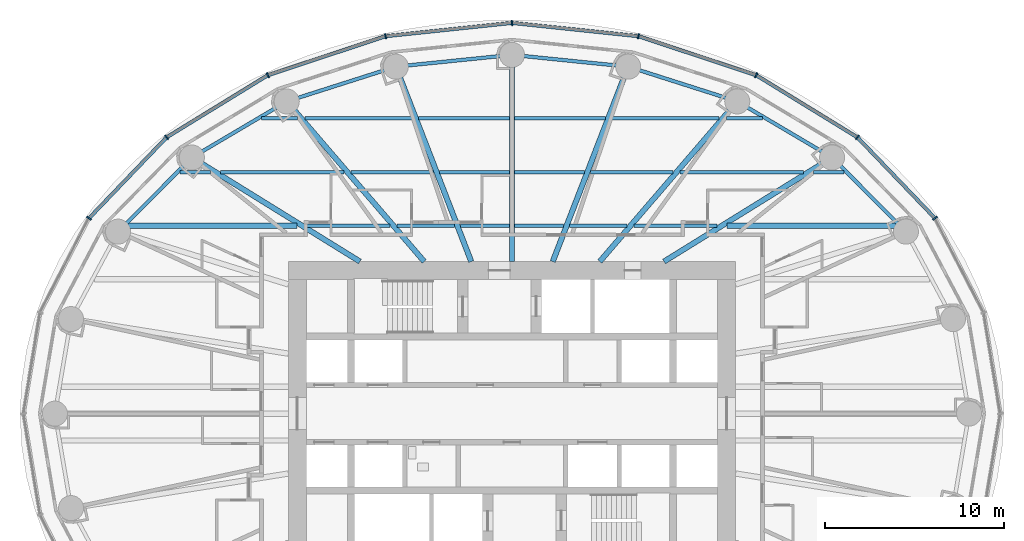
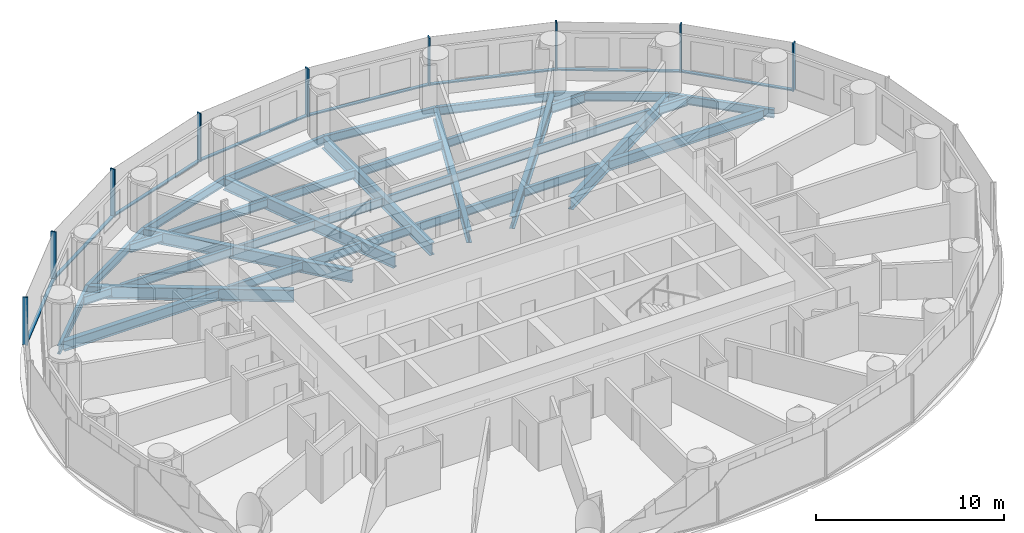
# One storey, part 4 of 16: 37 beams, 17 members, 2 elements without a shape of their own.
"""IFC4 building model written with IfcOpenShell, lengths in metres."""

from ifc_helpers import new_model, si_unit, direction, frame, origin, origin_2d, place, context, subcontext, project, spatial, rectangle, i_section, extrude, material, material_profile, profile_set, type_object, element, aggregate, save


model = new_model("IFC4")

# Units and contexts
model_context = context("Model", 3, precision=1e-05, world=origin(), true_north=direction((0.0, 1.0)))
body_context = subcontext(model_context, "Body", "Model", "MODEL_VIEW")
ifc_project = project(units=[si_unit("LENGTHUNIT", "METRE"), si_unit("AREAUNIT", "SQUARE_METRE"), si_unit("VOLUMEUNIT", "CUBIC_METRE"), si_unit("PLANEANGLEUNIT", "RADIAN"), si_unit("MASSUNIT", "GRAM", prefix="KILO")], contexts=[model_context])

# Site, building, storey
site_placement = place(None, origin())
site = spatial("IfcSite", under=ifc_project, at=site_placement, CompositionType="ELEMENT")
building_placement = place(site_placement, origin())
building = spatial("IfcBuilding", under=site, at=building_placement, Name="Hankou Lantern Tower", CompositionType="ELEMENT")
storey_placement = place(building_placement, frame((0.0, 0.0, 77.10009765625)))
storey = spatial("IfcBuildingStorey", under=building, at=storey_placement, Name="L19", CompositionType="ELEMENT", Elevation=77.10009765625)

# Beams
ifc_material_1 = material(Name="Steel Q355B", Category="steel")
ifc_material_profile_1 = material_profile(ifc_material_1, i_section(OverallWidth=0.199951171875, OverallDepth=0.550048828125, WebThickness=0.010009765625, FlangeThickness=0.01611328125, FilletRadius=0.012939453125, at=origin_2d()), Name="HN550x200x10x16")
ifc_profile_set_1 = profile_set([ifc_material_profile_1], Name="Steel Q355B")
beam_type_1 = type_object("IfcBeamType", Name="EB6 RING BEAM HN550x200x10x16", PredefinedType="SPANDREL", material=ifc_profile_set_1)
beam_1_placement = place(storey_placement, frame((22.01904296875, 10.170166015625, -0.455078125), z_axis=(-0.705727798394, 0.708483079949, 0.0), x_axis=(-0.708483079949, -0.705727798394, 0.0)))
element("IfcBeam", 1, at=beam_1_placement, inside=storey, type_object=beam_type_1, Name="Ring beam R03-R04 L19", PredefinedType="SPANDREL", context=body_context, shape_type="SweptSolid", body=[
    extrude(i_section(OverallWidth=0.199951171875, OverallDepth=0.550048828125, WebThickness=0.010009765625, FlangeThickness=0.01611328125, FilletRadius=0.012939453125, at=origin_2d()), origin(), (0.0, 0.0, 1.0), 5.84814453125),
])
beam_2_placement = place(storey_placement, frame((17.891845703125, 14.3134765625, -0.455078125), z_axis=(-0.860881533543, 0.508805449268, 0.0), x_axis=(-0.508805449268, -0.860881533543, 0.0)))
element("IfcBeam", 2, at=beam_2_placement, inside=storey, type_object=beam_type_1, Name="Ring beam R04-R05 L19", PredefinedType="SPANDREL", context=body_context, shape_type="SweptSolid", body=[
    extrude(i_section(OverallWidth=0.199951171875, OverallDepth=0.550048828125, WebThickness=0.010009765625, FlangeThickness=0.01611328125, FilletRadius=0.012939453125, at=origin_2d()), origin(), (0.0, 0.0, 1.0), 6.15771484375),
])
beam_3_placement = place(storey_placement, frame((12.5908203125, 17.446533203125, -0.455078125), z_axis=(-0.952690479428, 0.303942182671, 0.0), x_axis=(-0.303942182671, -0.952690479428, 0.0)))
element("IfcBeam", 3, at=beam_3_placement, inside=storey, type_object=beam_type_1, Name="Ring beam R05-R06 L19", PredefinedType="SPANDREL", context=body_context, shape_type="SweptSolid", body=[
    extrude(i_section(OverallWidth=0.199951171875, OverallDepth=0.550048828125, WebThickness=0.010009765625, FlangeThickness=0.01611328125, FilletRadius=0.012939453125, at=origin_2d()), origin(), (0.0, 0.0, 1.0), 6.398681640625),
])
for number, where, z_axis, x_axis, name in (
    (4, (6.494873046875, 19.391357421875, -0.455078125), (-0.994896616842, 0.100899562915, 0.0), (-0.100899562915, -0.994896616842, 0.0), "Ring beam R06-R07 L19"),
    (5, (0.0, 20.050048828125, -0.455078125), (-0.994896616842, -0.100899562915, 0.0), (0.100899562915, -0.994896616842, 0.0), "Ring beam R07-R08 L19"),
):
    element("IfcBeam", number, at=place(storey_placement, frame(where, z_axis=z_axis, x_axis=x_axis)), inside=storey, type_object=beam_type_1, Name=name, PredefinedType="SPANDREL", context=body_context, shape_type="SweptSolid", body=[
        extrude(i_section(OverallWidth=0.199951171875, OverallDepth=0.550048828125, WebThickness=0.010009765625, FlangeThickness=0.01611328125, FilletRadius=0.012939453125, at=origin_2d()), origin(), (0.0, 0.0, 1.0), 6.528076171875),
    ])
beam_4_placement = place(storey_placement, frame((-6.494873046875, 19.391357421875, -0.455078125), z_axis=(-0.952690479428, -0.303942182671, 0.0), x_axis=(0.303942182671, -0.952690479428, 0.0)))
element("IfcBeam", 6, at=beam_4_placement, inside=storey, type_object=beam_type_1, Name="Ring beam R08-R09 L19", PredefinedType="SPANDREL", context=body_context, shape_type="SweptSolid", body=[
    extrude(i_section(OverallWidth=0.199951171875, OverallDepth=0.550048828125, WebThickness=0.010009765625, FlangeThickness=0.01611328125, FilletRadius=0.012939453125, at=origin_2d()), origin(), (0.0, 0.0, 1.0), 6.398681640625),
])
beam_5_placement = place(storey_placement, frame((-12.5908203125, 17.446533203125, -0.455078125), z_axis=(-0.860881533543, -0.508805449268, 0.0), x_axis=(0.508805449268, -0.860881533543, 0.0)))
element("IfcBeam", 7, at=beam_5_placement, inside=storey, type_object=beam_type_1, Name="Ring beam R09-R10 L19", PredefinedType="SPANDREL", context=body_context, shape_type="SweptSolid", body=[
    extrude(i_section(OverallWidth=0.199951171875, OverallDepth=0.550048828125, WebThickness=0.010009765625, FlangeThickness=0.01611328125, FilletRadius=0.012939453125, at=origin_2d()), origin(), (0.0, 0.0, 1.0), 6.15771484375),
])
beam_6_placement = place(storey_placement, frame((-17.891845703125, 14.3134765625, -0.455078125), z_axis=(-0.705727798394, -0.708483079949, 0.0), x_axis=(0.708483079949, -0.705727798394, 0.0)))
element("IfcBeam", 8, at=beam_6_placement, inside=storey, type_object=beam_type_1, Name="Ring beam R10-R11 L19", PredefinedType="SPANDREL", context=body_context, shape_type="SweptSolid", body=[
    extrude(i_section(OverallWidth=0.199951171875, OverallDepth=0.550048828125, WebThickness=0.010009765625, FlangeThickness=0.01611328125, FilletRadius=0.012939453125, at=origin_2d()), origin(), (0.0, 0.0, 1.0), 5.84814453125),
])

# Curtain wall, members
ifc_material_2 = material(Name="Glass, dark grey tinted laminated", Category="glass")
curtain_wall_type = type_object("IfcCurtainWallType", Name="CWA OUTER SKIN LOW-RISE", PredefinedType="USERDEFINED", material=ifc_material_2)
curtain_wall_1_placement = place(storey_placement, origin())
curtain_wall_1 = element("IfcCurtainWall", 9, at=curtain_wall_1_placement, inside=storey, type_object=curtain_wall_type, Name="CWA L19 OS1", ObjectType="OUTER SKIN LOW-RISE", PredefinedType="USERDEFINED")
ifc_material_3 = material(Name="Aluminium, black anodised", Category="aluminium")
ifc_material_profile_2 = material_profile(ifc_material_3, rectangle(XDim=0.080078125, YDim=0.300048828125, at=origin_2d()), Name="MU1 80X300")
ifc_profile_set_2 = profile_set([ifc_material_profile_2], Name="Aluminium, black anodised")
member_type_1 = type_object("IfcMemberType", Name="MU1 OUTER SKIN MULLION 80X300", PredefinedType="MULLION", material=ifc_profile_set_2)
member_1_placement = place(storey_placement, frame((23.642578125, 10.919921875, 0.0), z_axis=(0.0, 0.0, 1.0), x_axis=(-0.585205735974, 0.810884854084, 0.0)))
member_1 = element("IfcMember", 10, at=member_1_placement, type_object=member_type_1, Name="CWA mullion 3", PredefinedType="MULLION", context=body_context, shape_type="SweptSolid", body=[
    extrude(rectangle(XDim=0.080078125, YDim=0.300048828125, at=origin_2d()), origin(), (0.0, 0.0, 1.0), 3.119873046875),
])
member_2_placement = place(storey_placement, frame((19.303955078125, 15.443115234375, 0.0), z_axis=(0.0, 0.0, 1.0), x_axis=(-0.780868809444, 0.624695047553, 0.0)))
member_2 = element("IfcMember", 11, at=member_2_placement, type_object=member_type_1, Name="CWA mullion 4", PredefinedType="MULLION", context=body_context, shape_type="SweptSolid", body=[
    extrude(rectangle(XDim=0.080078125, YDim=0.300048828125, at=origin_2d()), origin(), (0.0, 0.0, 1.0), 3.119873046875),
])
member_3_placement = place(storey_placement, frame((13.64990234375, 18.9140625, 0.0), z_axis=(0.0, 0.0, 1.0), x_axis=(-0.907841299004, 0.419313934686, 0.0)))
member_3 = element("IfcMember", 12, at=member_3_placement, type_object=member_type_1, Name="CWA mullion 5", PredefinedType="MULLION", context=body_context, shape_type="SweptSolid", body=[
    extrude(rectangle(XDim=0.080078125, YDim=0.300048828125, at=origin_2d()), origin(), (0.0, 0.0, 1.0), 3.119873046875),
])
member_4_placement = place(storey_placement, frame((7.065673828125, 21.095703125, 0.0), z_axis=(0.0, 0.0, 1.0), x_axis=(-0.977787659625, 0.209597931016, 0.0)))
member_4 = element("IfcMember", 13, at=member_4_placement, type_object=member_type_1, Name="CWA mullion 6", PredefinedType="MULLION", context=body_context, shape_type="SweptSolid", body=[
    extrude(rectangle(XDim=0.080078125, YDim=0.300048828125, at=origin_2d()), origin(), (0.0, 0.0, 1.0), 3.119873046875),
])

curtain_wall_2_placement = place(storey_placement, origin())
curtain_wall_2 = element("IfcCurtainWall", 14, at=curtain_wall_2_placement, inside=storey, type_object=curtain_wall_type, Name="CWA L19 OS2", ObjectType="OUTER SKIN LOW-RISE", PredefinedType="USERDEFINED")
member_5_placement = place(storey_placement, frame((0.0, 21.840087890625, 0.0), z_axis=(0.0, 0.0, 1.0), x_axis=(-0.994499359107, -0.104742659579, 0.0)))
member_5 = element("IfcMember", 15, at=member_5_placement, type_object=member_type_1, Name="CWA mullion 1", PredefinedType="MULLION", context=body_context, shape_type="SweptSolid", body=[
    extrude(rectangle(XDim=0.080078125, YDim=0.300048828125, at=origin_2d()), origin(), (0.0, 0.0, 1.0), 3.119873046875),
])
member_6_placement = place(storey_placement, frame((-7.065673828125, 21.095703125, 0.0), z_axis=(0.0, 0.0, 1.0), x_axis=(-0.977787659625, -0.209597931016, 0.0)))
member_6 = element("IfcMember", 16, at=member_6_placement, type_object=member_type_1, Name="CWA mullion 2", PredefinedType="MULLION", context=body_context, shape_type="SweptSolid", body=[
    extrude(rectangle(XDim=0.080078125, YDim=0.300048828125, at=origin_2d()), origin(), (0.0, 0.0, 1.0), 3.119873046875),
])
member_7_placement = place(storey_placement, frame((-13.64990234375, 18.9140625, 0.0), z_axis=(0.0, 0.0, 1.0), x_axis=(-0.907841299004, -0.419313934686, 0.0)))
member_7 = element("IfcMember", 17, at=member_7_placement, type_object=member_type_1, Name="CWA mullion 3", PredefinedType="MULLION", context=body_context, shape_type="SweptSolid", body=[
    extrude(rectangle(XDim=0.080078125, YDim=0.300048828125, at=origin_2d()), origin(), (0.0, 0.0, 1.0), 3.119873046875),
])
member_8_placement = place(storey_placement, frame((-19.303955078125, 15.443115234375, 0.0), z_axis=(0.0, 0.0, 1.0), x_axis=(-0.780868809444, -0.624695047553, 0.0)))
member_8 = element("IfcMember", 18, at=member_8_placement, type_object=member_type_1, Name="CWA mullion 4", PredefinedType="MULLION", context=body_context, shape_type="SweptSolid", body=[
    extrude(rectangle(XDim=0.080078125, YDim=0.300048828125, at=origin_2d()), origin(), (0.0, 0.0, 1.0), 3.119873046875),
])
member_9_placement = place(storey_placement, frame((-23.642578125, 10.919921875, 0.0), z_axis=(0.0, 0.0, 1.0), x_axis=(-0.585205735974, -0.810884854084, 0.0)))
member_9 = element("IfcMember", 19, at=member_9_placement, type_object=member_type_1, Name="CWA mullion 5", PredefinedType="MULLION", context=body_context, shape_type="SweptSolid", body=[
    extrude(rectangle(XDim=0.080078125, YDim=0.300048828125, at=origin_2d()), origin(), (0.0, 0.0, 1.0), 3.119873046875),
])

# Beams
ifc_material_4 = material(Name="Steel Q355B", Category="steel")
ifc_material_profile_3 = material_profile(ifc_material_4, i_section(OverallWidth=0.300048828125, OverallDepth=0.800048828125, WebThickness=0.013916015625, FlangeThickness=0.02587890625, FilletRadius=0.01806640625, at=origin_2d()), Name="HN800x300x14x26")
ifc_profile_set_3 = profile_set([ifc_material_profile_3], Name="Steel Q355B")
beam_type_2 = type_object("IfcBeamType", Name="RB11 RADIAL BEAM HN800x300x14x26", PredefinedType="BEAM", material=ifc_profile_set_3)
beam_7_placement = place(storey_placement, frame((8.5, 8.5, -0.580078125), z_axis=(0.850286343288, 0.526320372414, 0.0), x_axis=(-0.526320372414, 0.850286343288, 0.0)))
element("IfcBeam", 20, at=beam_7_placement, inside=storey, type_object=beam_type_2, Name="Radial beam R04 L19", PredefinedType="BEAM", context=body_context, shape_type="SweptSolid", body=[
    extrude(i_section(OverallWidth=0.300048828125, OverallDepth=0.800048828125, WebThickness=0.013916015625, FlangeThickness=0.02587890625, FilletRadius=0.01806640625, at=origin_2d()), origin(), (0.0, 0.0, 1.0), 11.04541015625),
])
beam_8_placement = place(storey_placement, frame((4.907470703125, 8.5, -0.580078125), z_axis=(0.651519061225, 0.758632264579, 0.0), x_axis=(-0.758632264579, 0.651519061225, 0.0)))
element("IfcBeam", 21, at=beam_8_placement, inside=storey, type_object=beam_type_2, Name="Radial beam R05 L19", PredefinedType="BEAM", context=body_context, shape_type="SweptSolid", body=[
    extrude(i_section(OverallWidth=0.300048828125, OverallDepth=0.800048828125, WebThickness=0.013916015625, FlangeThickness=0.02587890625, FilletRadius=0.01806640625, at=origin_2d()), origin(), (0.0, 0.0, 1.0), 11.79296875),
])
beam_9_placement = place(storey_placement, frame((2.277587890625, 8.5, -0.580078125), z_axis=(0.361089103374, 0.932531318201, 0.0), x_axis=(-0.932531318201, 0.361089103374, 0.0)))
element("IfcBeam", 22, at=beam_9_placement, inside=storey, type_object=beam_type_2, Name="Radial beam R06 L19", PredefinedType="BEAM", context=body_context, shape_type="SweptSolid", body=[
    extrude(i_section(OverallWidth=0.300048828125, OverallDepth=0.800048828125, WebThickness=0.013916015625, FlangeThickness=0.02587890625, FilletRadius=0.01806640625, at=origin_2d()), origin(), (0.0, 0.0, 1.0), 11.679443359375),
])
beam_10_placement = place(storey_placement, frame((0.0, 8.5, -0.580078125), z_axis=(0.0, 1.0, 0.0), x_axis=(-1.0, 0.0, 0.0)))
element("IfcBeam", 23, at=beam_10_placement, inside=storey, type_object=beam_type_2, Name="Radial beam R07 L19", PredefinedType="BEAM", context=body_context, shape_type="SweptSolid", body=[
    extrude(i_section(OverallWidth=0.300048828125, OverallDepth=0.800048828125, WebThickness=0.013916015625, FlangeThickness=0.02587890625, FilletRadius=0.01806640625, at=origin_2d()), origin(), (0.0, 0.0, 1.0), 11.550048828125),
])
beam_11_placement = place(storey_placement, frame((-2.277587890625, 8.5, -0.580078125), z_axis=(-0.361089103374, 0.932531318201, 0.0), x_axis=(-0.932531318201, -0.361089103374, 0.0)))
element("IfcBeam", 24, at=beam_11_placement, inside=storey, type_object=beam_type_2, Name="Radial beam R08 L19", PredefinedType="BEAM", context=body_context, shape_type="SweptSolid", body=[
    extrude(i_section(OverallWidth=0.300048828125, OverallDepth=0.800048828125, WebThickness=0.013916015625, FlangeThickness=0.02587890625, FilletRadius=0.01806640625, at=origin_2d()), origin(), (0.0, 0.0, 1.0), 11.679443359375),
])
beam_12_placement = place(storey_placement, frame((-4.907470703125, 8.5, -0.580078125), z_axis=(-0.651519061225, 0.758632264579, 0.0), x_axis=(-0.758632264579, -0.651519061225, 0.0)))
element("IfcBeam", 25, at=beam_12_placement, inside=storey, type_object=beam_type_2, Name="Radial beam R09 L19", PredefinedType="BEAM", context=body_context, shape_type="SweptSolid", body=[
    extrude(i_section(OverallWidth=0.300048828125, OverallDepth=0.800048828125, WebThickness=0.013916015625, FlangeThickness=0.02587890625, FilletRadius=0.01806640625, at=origin_2d()), origin(), (0.0, 0.0, 1.0), 11.79296875),
])
beam_13_placement = place(storey_placement, frame((-8.5, 8.5, -0.580078125), z_axis=(-0.850286343288, 0.526320372414, 0.0), x_axis=(-0.526320372414, -0.850286343288, 0.0)))
element("IfcBeam", 26, at=beam_13_placement, inside=storey, type_object=beam_type_2, Name="Radial beam R10 L19", PredefinedType="BEAM", context=body_context, shape_type="SweptSolid", body=[
    extrude(i_section(OverallWidth=0.300048828125, OverallDepth=0.800048828125, WebThickness=0.013916015625, FlangeThickness=0.02587890625, FilletRadius=0.01806640625, at=origin_2d()), origin(), (0.0, 0.0, 1.0), 11.04541015625),
])
ifc_material_5 = material(Name="Steel Q355B", Category="steel")
ifc_material_profile_4 = material_profile(ifc_material_5, i_section(OverallWidth=0.199951171875, OverallDepth=0.550048828125, WebThickness=0.010009765625, FlangeThickness=0.01611328125, FilletRadius=0.012939453125, at=origin_2d()), Name="HN550x200x10x16")
ifc_profile_set_4 = profile_set([ifc_material_profile_4], Name="Steel Q355B")
beam_type_3 = type_object("IfcBeamType", Name="SB6 SECONDARY BEAM HN550x200x10x16", PredefinedType="JOIST", material=ifc_profile_set_4)
beam_14_placement = place(storey_placement, frame((-11.446044921875, 10.5, -0.455078125), z_axis=(1.0, 0.0, 0.0), x_axis=(0.0, 1.0, 0.0)))
element("IfcBeam", 27, at=beam_14_placement, inside=storey, type_object=beam_type_3, Name="Floor joist J040 L19", PredefinedType="JOIST", context=body_context, shape_type="SweptSolid", body=[
    extrude(i_section(OverallWidth=0.199951171875, OverallDepth=0.550048828125, WebThickness=0.010009765625, FlangeThickness=0.01611328125, FilletRadius=0.012939453125, at=origin_2d()), origin(), (0.0, 0.0, 1.0), 4.623291015625),
])
beam_15_placement = place(storey_placement, frame((-6.427490234375, 10.5, -0.455078125), z_axis=(1.0, 0.0, 0.0), x_axis=(0.0, 1.0, 0.0)))
element("IfcBeam", 28, at=beam_15_placement, inside=storey, type_object=beam_type_3, Name="Floor joist J041 L19", PredefinedType="JOIST", context=body_context, shape_type="SweptSolid", body=[
    extrude(i_section(OverallWidth=0.199951171875, OverallDepth=0.550048828125, WebThickness=0.010009765625, FlangeThickness=0.01611328125, FilletRadius=0.012939453125, at=origin_2d()), origin(), (0.0, 0.0, 1.0), 3.214599609375),
])
for number, where, z_axis, x_axis, name in (
    (29, (-2.89111328125, 10.5, -0.455078125), (1.0, 0.0, 0.0), (0.0, 1.0, 0.0), "Floor joist J042 L19"),
    (30, (0.14990234375, 10.5, -0.455078125), (1.0, 0.0, 0.0), (0.0, 1.0, 0.0), "Floor joist J043 L19"),
):
    element("IfcBeam", number, at=place(storey_placement, frame(where, z_axis=z_axis, x_axis=x_axis)), inside=storey, type_object=beam_type_3, Name=name, PredefinedType="JOIST", context=body_context, shape_type="SweptSolid", body=[
        extrude(i_section(OverallWidth=0.199951171875, OverallDepth=0.550048828125, WebThickness=0.010009765625, FlangeThickness=0.01611328125, FilletRadius=0.012939453125, at=origin_2d()), origin(), (0.0, 0.0, 1.0), 2.7412109375),
    ])
beam_16_placement = place(storey_placement, frame((3.212890625, 10.5, -0.455078125), z_axis=(1.0, 0.0, 0.0), x_axis=(0.0, 1.0, 0.0)))
element("IfcBeam", 31, at=beam_16_placement, inside=storey, type_object=beam_type_3, Name="Floor joist J044 L19", PredefinedType="JOIST", context=body_context, shape_type="SweptSolid", body=[
    extrude(i_section(OverallWidth=0.199951171875, OverallDepth=0.550048828125, WebThickness=0.010009765625, FlangeThickness=0.01611328125, FilletRadius=0.012939453125, at=origin_2d()), origin(), (0.0, 0.0, 1.0), 3.214599609375),
])
beam_17_placement = place(storey_placement, frame((6.82275390625, 10.5, -0.455078125), z_axis=(1.0, 0.0, 0.0), x_axis=(0.0, 1.0, 0.0)))
element("IfcBeam", 32, at=beam_17_placement, inside=storey, type_object=beam_type_3, Name="Floor joist J045 L19", PredefinedType="JOIST", context=body_context, shape_type="SweptSolid", body=[
    extrude(i_section(OverallWidth=0.199951171875, OverallDepth=0.550048828125, WebThickness=0.010009765625, FlangeThickness=0.01611328125, FilletRadius=0.012939453125, at=origin_2d()), origin(), (0.0, 0.0, 1.0), 4.623291015625),
])
beam_18_placement = place(storey_placement, frame((-18.560791015625, 13.5, -0.455078125), z_axis=(1.0, 0.0, 0.0), x_axis=(0.0, 1.0, 0.0)))
element("IfcBeam", 33, at=beam_18_placement, inside=storey, type_object=beam_type_3, Name="Floor joist J047 L19", PredefinedType="JOIST", context=body_context, shape_type="SweptSolid", body=[
    extrude(i_section(OverallWidth=0.199951171875, OverallDepth=0.550048828125, WebThickness=0.010009765625, FlangeThickness=0.01611328125, FilletRadius=0.012939453125, at=origin_2d()), origin(), (0.0, 0.0, 1.0), 1.697998046875),
])
beam_19_placement = place(storey_placement, frame((-16.292724609375, 13.5, -0.455078125), z_axis=(1.0, 0.0, 0.0), x_axis=(0.0, 1.0, 0.0)))
element("IfcBeam", 34, at=beam_19_placement, inside=storey, type_object=beam_type_3, Name="Floor joist J048 L19", PredefinedType="JOIST", context=body_context, shape_type="SweptSolid", body=[
    extrude(i_section(OverallWidth=0.199951171875, OverallDepth=0.550048828125, WebThickness=0.010009765625, FlangeThickness=0.01611328125, FilletRadius=0.012939453125, at=origin_2d()), origin(), (0.0, 0.0, 1.0), 6.893310546875),
])
beam_20_placement = place(storey_placement, frame((-9.00390625, 13.5, -0.455078125), z_axis=(1.0, 0.0, 0.0), x_axis=(0.0, 1.0, 0.0)))
element("IfcBeam", 35, at=beam_20_placement, inside=storey, type_object=beam_type_3, Name="Floor joist J049 L19", PredefinedType="JOIST", context=body_context, shape_type="SweptSolid", body=[
    extrude(i_section(OverallWidth=0.199951171875, OverallDepth=0.550048828125, WebThickness=0.010009765625, FlangeThickness=0.01611328125, FilletRadius=0.012939453125, at=origin_2d()), origin(), (0.0, 0.0, 1.0), 4.62939453125),
])
for number, where, z_axis, x_axis, name in (
    (36, (-4.052734375, 13.5, -0.455078125), (1.0, 0.0, 0.0), (0.0, 1.0, 0.0), "Floor joist J050 L19"),
    (37, (0.14990234375, 13.5, -0.455078125), (1.0, 0.0, 0.0), (0.0, 1.0, 0.0), "Floor joist J051 L19"),
):
    element("IfcBeam", number, at=place(storey_placement, frame(where, z_axis=z_axis, x_axis=x_axis)), inside=storey, type_object=beam_type_3, Name=name, PredefinedType="JOIST", context=body_context, shape_type="SweptSolid", body=[
        extrude(i_section(OverallWidth=0.199951171875, OverallDepth=0.550048828125, WebThickness=0.010009765625, FlangeThickness=0.01611328125, FilletRadius=0.012939453125, at=origin_2d()), origin(), (0.0, 0.0, 1.0), 3.90283203125),
    ])
beam_21_placement = place(storey_placement, frame((4.37451171875, 13.5, -0.455078125), z_axis=(1.0, 0.0, 0.0), x_axis=(0.0, 1.0, 0.0)))
element("IfcBeam", 38, at=beam_21_placement, inside=storey, type_object=beam_type_3, Name="Floor joist J052 L19", PredefinedType="JOIST", context=body_context, shape_type="SweptSolid", body=[
    extrude(i_section(OverallWidth=0.199951171875, OverallDepth=0.550048828125, WebThickness=0.010009765625, FlangeThickness=0.01611328125, FilletRadius=0.012939453125, at=origin_2d()), origin(), (0.0, 0.0, 1.0), 4.62939453125),
])
beam_22_placement = place(storey_placement, frame((9.3994140625, 13.5, -0.455078125), z_axis=(1.0, 0.0, 0.0), x_axis=(0.0, 1.0, 0.0)))
element("IfcBeam", 39, at=beam_22_placement, inside=storey, type_object=beam_type_3, Name="Floor joist J053 L19", PredefinedType="JOIST", context=body_context, shape_type="SweptSolid", body=[
    extrude(i_section(OverallWidth=0.199951171875, OverallDepth=0.550048828125, WebThickness=0.010009765625, FlangeThickness=0.01611328125, FilletRadius=0.012939453125, at=origin_2d()), origin(), (0.0, 0.0, 1.0), 6.893310546875),
])
beam_23_placement = place(storey_placement, frame((16.86279296875, 13.5, -0.455078125), z_axis=(1.0, 0.0, 0.0), x_axis=(0.0, 1.0, 0.0)))
element("IfcBeam", 40, at=beam_23_placement, inside=storey, type_object=beam_type_3, Name="Floor joist J054 L19", PredefinedType="JOIST", context=body_context, shape_type="SweptSolid", body=[
    extrude(i_section(OverallWidth=0.199951171875, OverallDepth=0.550048828125, WebThickness=0.010009765625, FlangeThickness=0.01611328125, FilletRadius=0.012939453125, at=origin_2d()), origin(), (0.0, 0.0, 1.0), 1.697998046875),
])
beam_24_placement = place(storey_placement, frame((-13.99560546875, 16.5, -0.455078125), z_axis=(1.0, 0.0, 0.0), x_axis=(0.0, 1.0, 0.0)))
element("IfcBeam", 41, at=beam_24_placement, inside=storey, type_object=beam_type_3, Name="Floor joist J055 L19", PredefinedType="JOIST", context=body_context, shape_type="SweptSolid", body=[
    extrude(i_section(OverallWidth=0.199951171875, OverallDepth=0.550048828125, WebThickness=0.010009765625, FlangeThickness=0.01611328125, FilletRadius=0.012939453125, at=origin_2d()), origin(), (0.0, 0.0, 1.0), 2.019775390625),
])
beam_25_placement = place(storey_placement, frame((-11.580322265625, 16.5, -0.455078125), z_axis=(1.0, 0.0, 0.0), x_axis=(0.0, 1.0, 0.0)))
element("IfcBeam", 42, at=beam_25_placement, inside=storey, type_object=beam_type_3, Name="Floor joist J056 L19", PredefinedType="JOIST", context=body_context, shape_type="SweptSolid", body=[
    extrude(i_section(OverallWidth=0.199951171875, OverallDepth=0.550048828125, WebThickness=0.010009765625, FlangeThickness=0.01611328125, FilletRadius=0.012939453125, at=origin_2d()), origin(), (0.0, 0.0, 1.0), 6.044189453125),
])
for number, where, z_axis, x_axis, name in (
    (43, (-5.21435546875, 16.5, -0.455078125), (1.0, 0.0, 0.0), (0.0, 1.0, 0.0), "Floor joist J057 L19"),
    (44, (0.14990234375, 16.5, -0.455078125), (1.0, 0.0, 0.0), (0.0, 1.0, 0.0), "Floor joist J058 L19"),
):
    element("IfcBeam", number, at=place(storey_placement, frame(where, z_axis=z_axis, x_axis=x_axis)), inside=storey, type_object=beam_type_3, Name=name, PredefinedType="JOIST", context=body_context, shape_type="SweptSolid", body=[
        extrude(i_section(OverallWidth=0.199951171875, OverallDepth=0.550048828125, WebThickness=0.010009765625, FlangeThickness=0.01611328125, FilletRadius=0.012939453125, at=origin_2d()), origin(), (0.0, 0.0, 1.0), 5.064453125),
    ])
beam_26_placement = place(storey_placement, frame((5.5361328125, 16.5, -0.455078125), z_axis=(1.0, 0.0, 0.0), x_axis=(0.0, 1.0, 0.0)))
element("IfcBeam", 45, at=beam_26_placement, inside=storey, type_object=beam_type_3, Name="Floor joist J059 L19", PredefinedType="JOIST", context=body_context, shape_type="SweptSolid", body=[
    extrude(i_section(OverallWidth=0.199951171875, OverallDepth=0.550048828125, WebThickness=0.010009765625, FlangeThickness=0.01611328125, FilletRadius=0.012939453125, at=origin_2d()), origin(), (0.0, 0.0, 1.0), 6.044189453125),
])
beam_27_placement = place(storey_placement, frame((11.975830078125, 16.5, -0.455078125), z_axis=(1.0, 0.0, 0.0), x_axis=(0.0, 1.0, 0.0)))
element("IfcBeam", 46, at=beam_27_placement, inside=storey, type_object=beam_type_3, Name="Floor joist J060 L19", PredefinedType="JOIST", context=body_context, shape_type="SweptSolid", body=[
    extrude(i_section(OverallWidth=0.199951171875, OverallDepth=0.550048828125, WebThickness=0.010009765625, FlangeThickness=0.01611328125, FilletRadius=0.012939453125, at=origin_2d()), origin(), (0.0, 0.0, 1.0), 2.019775390625),
])
ifc_material_6 = material(Name="Steel Q355B", Category="steel")
ifc_material_profile_5 = material_profile(ifc_material_6, i_section(OverallWidth=0.300048828125, OverallDepth=0.64990234375, WebThickness=0.010986328125, FlangeThickness=0.01708984375, FilletRadius=0.01806640625, at=origin_2d()), Name="HN650x300x11x17")
ifc_profile_set_5 = profile_set([ifc_material_profile_5], Name="Steel Q355B")
beam_type_4 = type_object("IfcBeamType", Name="SB8 SECONDARY BEAM HN650x300x11x17", PredefinedType="JOIST", material=ifc_profile_set_5)
for number, where, z_axis, x_axis, name in (
    (47, (-21.54931640625, 10.5, -0.505126953125), (1.0, 0.0, 0.0), (0.0, 1.0, 0.0), "Floor joist J039 L19"),
    (48, (12.01611328125, 10.5, -0.505126953125), (1.0, 0.0, 0.0), (0.0, 1.0, 0.0), "Floor joist J046 L19"),
):
    element("IfcBeam", number, at=place(storey_placement, frame(where, z_axis=z_axis, x_axis=x_axis)), inside=storey, type_object=beam_type_4, Name=name, PredefinedType="JOIST", context=body_context, shape_type="SweptSolid", body=[
        extrude(i_section(OverallWidth=0.300048828125, OverallDepth=0.64990234375, WebThickness=0.010986328125, FlangeThickness=0.01708984375, FilletRadius=0.01806640625, at=origin_2d()), origin(), (0.0, 0.0, 1.0), 9.533203125),
    ])

# Member
ifc_material_7 = material(Name="Aluminium, black anodised", Category="aluminium")
ifc_material_profile_6 = material_profile(ifc_material_7, rectangle(XDim=0.199951171875, YDim=0.080078125, at=origin_2d()), Name="TR1 200X80")
ifc_profile_set_6 = profile_set([ifc_material_profile_6], Name="Aluminium, black anodised")
member_type_2 = type_object("IfcMemberType", Name="TR1 OUTER SKIN TRANSOM 200X80", PredefinedType="USERDEFINED", material=ifc_profile_set_6)
member_10_placement = place(storey_placement, frame((23.61474609375, 10.948974609375, 0.039794921875), z_axis=(-0.692215537374, 0.721690827029, 0.0), x_axis=(-0.721690827029, -0.692215537374, 0.0)))
member_10 = element("IfcMember", 49, at=member_10_placement, type_object=member_type_2, Name="CWA transom 3", ObjectType="TRANSOM", PredefinedType="USERDEFINED", context=body_context, shape_type="SweptSolid", body=[
    extrude(rectangle(XDim=0.199951171875, YDim=0.080078125, at=origin_2d()), origin(), (0.0, 0.0, 1.0), 6.187255859375),
])

member_11_placement = place(storey_placement, frame((19.27001953125, 15.464111328125, 0.039794921875), z_axis=(-0.85223969557, 0.523151508929, 0.0), x_axis=(-0.523151508929, -0.85223969557, 0.0)))
member_11 = element("IfcMember", 50, at=member_11_placement, type_object=member_type_2, Name="CWA transom 4", ObjectType="TRANSOM", PredefinedType="USERDEFINED", context=body_context, shape_type="SweptSolid", body=[
    extrude(rectangle(XDim=0.199951171875, YDim=0.080078125, at=origin_2d()), origin(), (0.0, 0.0, 1.0), 6.554443359375),
])

member_12_placement = place(storey_placement, frame((13.612060546875, 18.926513671875, 0.039794921875), z_axis=(-0.949237318771, 0.314560825044, 0.0), x_axis=(-0.314560825044, -0.949237318771, 0.0)))
member_12 = element("IfcMember", 51, at=member_12_placement, type_object=member_type_2, Name="CWA transom 5", ObjectType="TRANSOM", PredefinedType="USERDEFINED", context=body_context, shape_type="SweptSolid", body=[
    extrude(rectangle(XDim=0.199951171875, YDim=0.080078125, at=origin_2d()), origin(), (0.0, 0.0, 1.0), 6.8564453125),
])

member_13_placement = place(storey_placement, frame((7.02587890625, 21.10009765625, 0.039794921875), z_axis=(-0.994502215033, 0.104715539888, 0.0), x_axis=(-0.104715539888, -0.994502215033, 0.0)))
member_13 = element("IfcMember", 52, at=member_13_placement, type_object=member_type_2, Name="CWA transom 6", ObjectType="TRANSOM", PredefinedType="USERDEFINED", context=body_context, shape_type="SweptSolid", body=[
    extrude(rectangle(XDim=0.199951171875, YDim=0.080078125, at=origin_2d()), origin(), (0.0, 0.0, 1.0), 7.024658203125),
])

aggregate(curtain_wall_1, [member_1, member_2, member_3, member_4, member_10, member_11, member_12, member_13])

member_14_placement = place(storey_placement, frame((-0.039794921875, 21.835693359375, 0.039794921875), z_axis=(-0.994502215033, -0.104715539888, 0.0), x_axis=(0.104715539888, -0.994502215033, 0.0)))
member_14 = element("IfcMember", 53, at=member_14_placement, type_object=member_type_2, Name="CWA transom 1", ObjectType="TRANSOM", PredefinedType="USERDEFINED", context=body_context, shape_type="SweptSolid", body=[
    extrude(rectangle(XDim=0.199951171875, YDim=0.080078125, at=origin_2d()), origin(), (0.0, 0.0, 1.0), 7.024658203125),
])

member_15_placement = place(storey_placement, frame((-7.103759765625, 21.083251953125, 0.039794921875), z_axis=(-0.949237318771, -0.314560825044, 0.0), x_axis=(0.314560825044, -0.949237318771, 0.0)))
member_15 = element("IfcMember", 54, at=member_15_placement, type_object=member_type_2, Name="CWA transom 2", ObjectType="TRANSOM", PredefinedType="USERDEFINED", context=body_context, shape_type="SweptSolid", body=[
    extrude(rectangle(XDim=0.199951171875, YDim=0.080078125, at=origin_2d()), origin(), (0.0, 0.0, 1.0), 6.8564453125),
])

member_16_placement = place(storey_placement, frame((-13.68408203125, 18.89306640625, 0.039794921875), z_axis=(-0.85223969557, -0.523151508929, 0.0), x_axis=(0.523151508929, -0.85223969557, 0.0)))
member_16 = element("IfcMember", 55, at=member_16_placement, type_object=member_type_2, Name="CWA transom 3", ObjectType="TRANSOM", PredefinedType="USERDEFINED", context=body_context, shape_type="SweptSolid", body=[
    extrude(rectangle(XDim=0.199951171875, YDim=0.080078125, at=origin_2d()), origin(), (0.0, 0.0, 1.0), 6.554443359375),
])

member_17_placement = place(storey_placement, frame((-19.331787109375, 15.414306640625, 0.039794921875), z_axis=(-0.692215537374, -0.721690827029, 0.0), x_axis=(0.721690827029, -0.692215537374, 0.0)))
member_17 = element("IfcMember", 56, at=member_17_placement, type_object=member_type_2, Name="CWA transom 4", ObjectType="TRANSOM", PredefinedType="USERDEFINED", context=body_context, shape_type="SweptSolid", body=[
    extrude(rectangle(XDim=0.199951171875, YDim=0.080078125, at=origin_2d()), origin(), (0.0, 0.0, 1.0), 6.187255859375),
])

aggregate(curtain_wall_2, [member_5, member_6, member_7, member_8, member_9, member_14, member_15, member_16, member_17])

save(model, "model.ifc")
